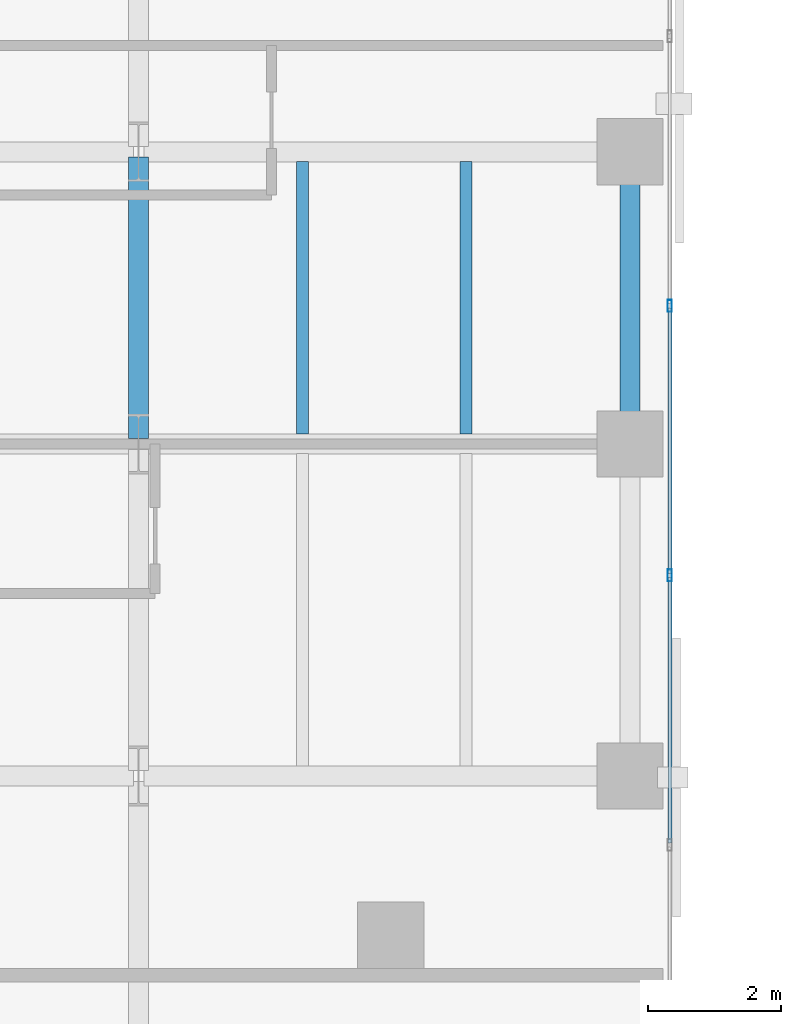
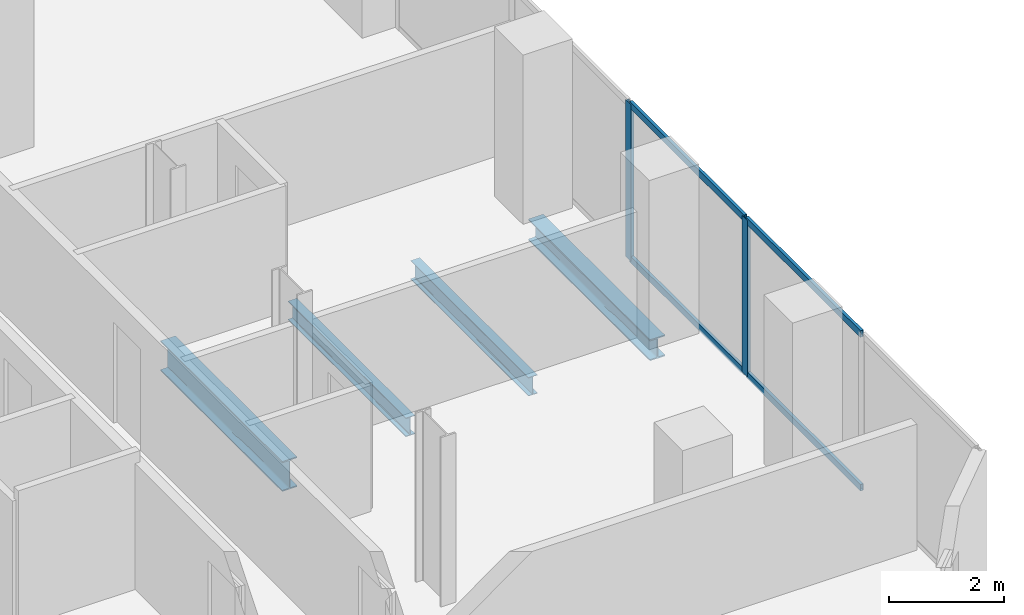
# One storey, part 7 of 32: 6 members, 4 beams, 1 element without a shape of its own.
"""IFC4 building model written with IfcOpenShell, lengths in metres."""

from ifc_helpers import new_model, si_unit, direction, frame, origin, origin_2d, place, context, subcontext, project, spatial, hollow_rectangle, i_section, extrude, material, layer, layer_set, material_profile, profile_set, type_object, element, aggregate, save


model = new_model("IFC4")

# Units and contexts
model_context = context("Model", 3, precision=1e-05, world=origin(), true_north=direction((0.0, 1.0)))
body_context = subcontext(model_context, "Body", "Model", "MODEL_VIEW")
ifc_project = project(units=[si_unit("LENGTHUNIT", "METRE"), si_unit("AREAUNIT", "SQUARE_METRE"), si_unit("VOLUMEUNIT", "CUBIC_METRE"), si_unit("PLANEANGLEUNIT", "RADIAN"), si_unit("MASSUNIT", "GRAM", prefix="KILO")], contexts=[model_context])

# Site, building, storey
site_placement = place(None, origin())
site = spatial("IfcSite", under=ifc_project, at=site_placement, CompositionType="ELEMENT")
building_placement = place(site_placement, origin())
building = spatial("IfcBuilding", under=site, at=building_placement, Name="Catumbela Crestline Tower", CompositionType="ELEMENT")
storey_placement = place(building_placement, frame((0.0, 0.0, 33.0)))
storey = spatial("IfcBuildingStorey", under=building, at=storey_placement, Name="L07", CompositionType="ELEMENT", Elevation=33.0)

# Beams
ifc_material_1 = material(Name="Structural steel S355J2", Category="steel")
ifc_material_profile_1 = material_profile(ifc_material_1, i_section(OverallWidth=0.3, OverallDepth=0.64, WebThickness=0.0135, FlangeThickness=0.026, FilletRadius=0.027, at=origin_2d()), Name="HEA 650")
ifc_profile_set_1 = profile_set([ifc_material_profile_1], Name="Structural steel S355J2")
beam_type_1 = type_object("IfcBeamType", Name="BG-HEA650", PredefinedType="BEAM", material=ifc_profile_set_1)
beam_1_placement = place(storey_placement, frame((16.0, 13.68, -0.58), z_axis=(0.0, 1.0, 0.0), x_axis=(-1.0, 0.0, 0.0)))
element("IfcBeam", 1, at=beam_1_placement, inside=storey, type_object=beam_type_1, Name="L07 Beam BM-L07-WNS66", PredefinedType="BEAM", context=body_context, shape_type="SweptSolid", body=[
    extrude(i_section(OverallWidth=0.3, OverallDepth=0.64, WebThickness=0.0135, FlangeThickness=0.026, FilletRadius=0.027, at=origin_2d()), origin(), (0.0, 0.0, 1.0), 4.24),
])
ifc_material_profile_2 = material_profile(ifc_material_1, i_section(OverallWidth=0.18, OverallDepth=0.4, WebThickness=0.0086, FlangeThickness=0.0135, FilletRadius=0.021, at=origin_2d()), Name="IPE 400")
ifc_profile_set_2 = profile_set([ifc_material_profile_2], Name="Structural steel S355J2")
beam_type_2 = type_object("IfcBeamType", Name="BJ-IPE400", PredefinedType="JOIST", material=ifc_profile_set_2)
for number, where, z_axis, x_axis, name in (
    (2, (18.467, 13.747, -0.46), (0.0, 1.0, 0.0), (-1.0, 0.0, 0.0), "L07 Joist JS-L07-WG80"),
    (3, (20.933, 13.747, -0.46), (0.0, 1.0, 0.0), (-1.0, 0.0, 0.0), "L07 Joist JS-L07-WG81"),
):
    element("IfcBeam", number, at=place(storey_placement, frame(where, z_axis=z_axis, x_axis=x_axis)), inside=storey, type_object=beam_type_2, Name=name, PredefinedType="JOIST", context=body_context, shape_type="SweptSolid", body=[
        extrude(i_section(OverallWidth=0.18, OverallDepth=0.4, WebThickness=0.0086, FlangeThickness=0.0135, FilletRadius=0.021, at=origin_2d()), origin(), (0.0, 0.0, 1.0), 4.106),
    ])

# Curtain wall, members
ifc_material_2 = material(Name="Aluminium alloy AW-6060-T66", Category="aluminium")
ifc_layer = layer(ifc_material_2, 0.18, Name="Aluminium alloy AW-6060-T66")
ifc_layer_set = layer_set([ifc_layer], Name="Aluminium alloy AW-6060-T66")
curtain_wall_type = type_object("IfcCurtainWallType", Name="CWU-Z1", PredefinedType="USERDEFINED", material=ifc_layer_set)
curtain_wall_placement = place(storey_placement, origin())
curtain_wall = element("IfcCurtainWall", 4, at=curtain_wall_placement, inside=storey, type_object=curtain_wall_type, Name="L07 Unitised Curtain Wall CW-L07-E2S1", ObjectType="UNITISED", PredefinedType="USERDEFINED")
ifc_material_profile_3 = material_profile(ifc_material_2, hollow_rectangle(XDim=0.065, YDim=0.18, WallThickness=0.004, at=origin_2d()), Name="ALU 180x65x4")
ifc_profile_set_3 = profile_set([ifc_material_profile_3], Name="Aluminium alloy AW-6060-T66")
member_type_1 = type_object("IfcMemberType", Name="MUL-180X65", PredefinedType="MULLION", material=ifc_profile_set_3)
member_1_placement = place(storey_placement, frame((24.0, 11.62, 0.0), z_axis=(0.0, 0.0, 1.0), x_axis=(-1.0, 0.0, 0.0)))
member_1 = element("IfcMember", 5, at=member_1_placement, type_object=member_type_1, Name="CWU-Z1 mullion 3", PredefinedType="MULLION", context=body_context, shape_type="SweptSolid", body=[
    extrude(hollow_rectangle(XDim=0.065, YDim=0.18, WallThickness=0.004, at=origin_2d()), origin(), (0.0, 0.0, 1.0), 3.33),
])
member_2_placement = place(storey_placement, frame((24.0, 15.68, 0.0), z_axis=(0.0, 0.0, 1.0), x_axis=(-1.0, 0.0, 0.0)))
member_2 = element("IfcMember", 6, at=member_2_placement, type_object=member_type_1, Name="CWU-Z1 mullion 4", PredefinedType="MULLION", context=body_context, shape_type="SweptSolid", body=[
    extrude(hollow_rectangle(XDim=0.065, YDim=0.18, WallThickness=0.004, at=origin_2d()), origin(), (0.0, 0.0, 1.0), 3.33),
])

# Beam
ifc_material_profile_4 = material_profile(ifc_material_1, i_section(OverallWidth=0.3, OverallDepth=0.45, WebThickness=0.014, FlangeThickness=0.026, FilletRadius=0.027, at=origin_2d()), Name="HEB 450")
ifc_profile_set_4 = profile_set([ifc_material_profile_4], Name="Structural steel S355J2")
beam_type_3 = type_object("IfcBeamType", Name="BS-HEB450", PredefinedType="SPANDREL", material=ifc_profile_set_4)
beam_2_placement = place(storey_placement, frame((23.4, 13.68, -0.485), z_axis=(0.0, 1.0, 0.0), x_axis=(-1.0, 0.0, 0.0)))
element("IfcBeam", 7, at=beam_2_placement, inside=storey, type_object=beam_type_3, Name="L07 Spandrel SP-L07-WNS69", PredefinedType="SPANDREL", context=body_context, shape_type="SweptSolid", body=[
    extrude(i_section(OverallWidth=0.3, OverallDepth=0.45, WebThickness=0.014, FlangeThickness=0.026, FilletRadius=0.027, at=origin_2d()), origin(), (0.0, 0.0, 1.0), 4.24),
])

# Member
ifc_material_profile_5 = material_profile(ifc_material_2, hollow_rectangle(XDim=0.06, YDim=0.14, WallThickness=0.004, at=origin_2d()), Name="ALU 140x60x4")
ifc_profile_set_5 = profile_set([ifc_material_profile_5], Name="Aluminium alloy AW-6060-T66")
member_type_2 = type_object("IfcMemberType", Name="TRN-140X60", PredefinedType="USERDEFINED", material=ifc_profile_set_5)
member_3_placement = place(storey_placement, frame((24.0, 7.5925, 0.03), z_axis=(0.0, 1.0, 0.0), x_axis=(-1.0, 0.0, 0.0)))
member_3 = element("IfcMember", 8, at=member_3_placement, type_object=member_type_2, Name="CWU-Z1 transom 2.1", ObjectType="TRANSOM", PredefinedType="USERDEFINED", context=body_context, shape_type="SweptSolid", body=[
    extrude(hollow_rectangle(XDim=0.06, YDim=0.14, WallThickness=0.004, at=origin_2d()), origin(), (0.0, 0.0, 1.0), 3.995),
])

member_4_placement = place(storey_placement, frame((24.0, 7.5925, 3.3), z_axis=(0.0, 1.0, 0.0), x_axis=(-1.0, 0.0, 0.0)))
member_4 = element("IfcMember", 9, at=member_4_placement, type_object=member_type_2, Name="CWU-Z1 transom 2.2", ObjectType="TRANSOM", PredefinedType="USERDEFINED", context=body_context, shape_type="SweptSolid", body=[
    extrude(hollow_rectangle(XDim=0.06, YDim=0.14, WallThickness=0.004, at=origin_2d()), origin(), (0.0, 0.0, 1.0), 3.995),
])

member_5_placement = place(storey_placement, frame((24.0, 11.6525, 0.03), z_axis=(0.0, 1.0, 0.0), x_axis=(-1.0, 0.0, 0.0)))
member_5 = element("IfcMember", 10, at=member_5_placement, type_object=member_type_2, Name="CWU-Z1 transom 3.1", ObjectType="TRANSOM", PredefinedType="USERDEFINED", context=body_context, shape_type="SweptSolid", body=[
    extrude(hollow_rectangle(XDim=0.06, YDim=0.14, WallThickness=0.004, at=origin_2d()), origin(), (0.0, 0.0, 1.0), 3.995),
])

member_6_placement = place(storey_placement, frame((24.0, 11.6525, 3.3), z_axis=(0.0, 1.0, 0.0), x_axis=(-1.0, 0.0, 0.0)))
member_6 = element("IfcMember", 11, at=member_6_placement, type_object=member_type_2, Name="CWU-Z1 transom 3.2", ObjectType="TRANSOM", PredefinedType="USERDEFINED", context=body_context, shape_type="SweptSolid", body=[
    extrude(hollow_rectangle(XDim=0.06, YDim=0.14, WallThickness=0.004, at=origin_2d()), origin(), (0.0, 0.0, 1.0), 3.995),
])

aggregate(curtain_wall, [member_1, member_2, member_3, member_4, member_5, member_6])

save(model, "model.ifc")
